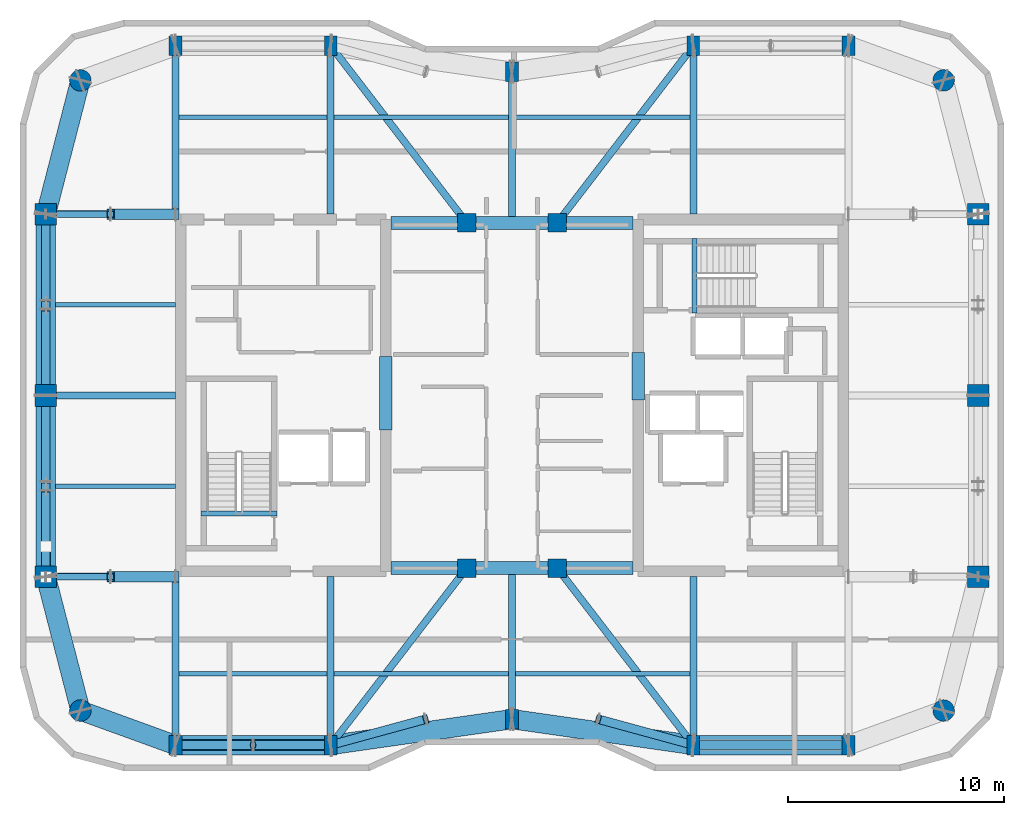
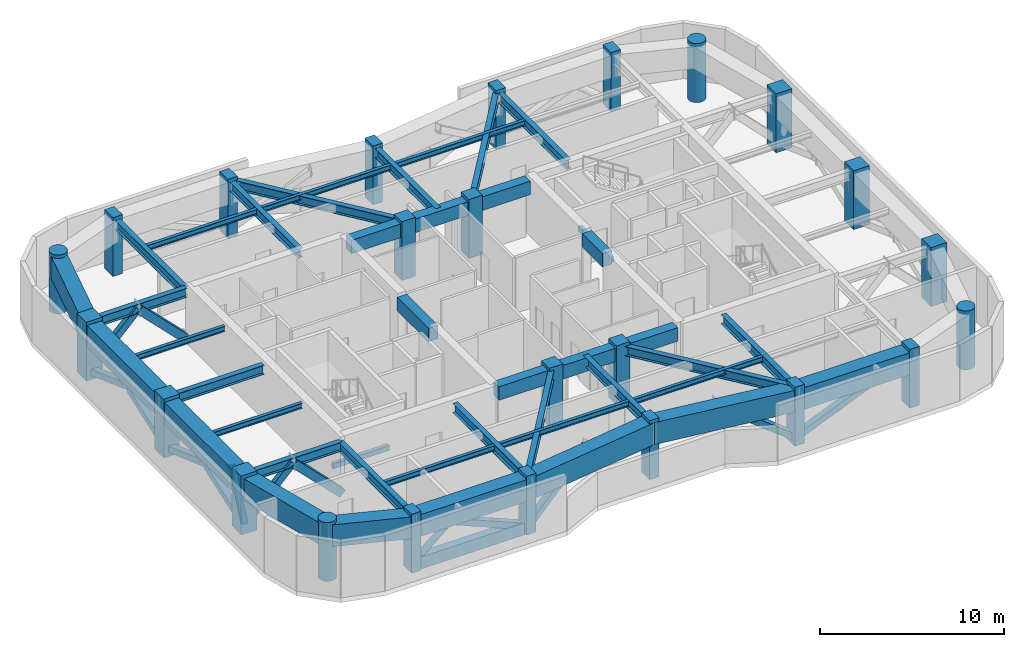
# One storey, part 1 of 11: 42 beams, 24 columns, 17 members.
"""IFC4 building model written with IfcOpenShell, lengths in metres."""

from ifc_helpers import new_model, si_unit, direction, frame, origin, origin_2d, place, context, subcontext, project, spatial, rectangle, hollow_rectangle, circle, hollow_circle, i_section, extrude, material, material_profile, profile_set, type_object, element, save


model = new_model("IFC4")

# Units and contexts
model_context = context("Model", 3, precision=1e-05, world=origin(), true_north=direction((0.0, 1.0)))
body_context = subcontext(model_context, "Body", "Model", "MODEL_VIEW")
ifc_project = project(units=[si_unit("LENGTHUNIT", "METRE"), si_unit("AREAUNIT", "SQUARE_METRE"), si_unit("VOLUMEUNIT", "CUBIC_METRE"), si_unit("PLANEANGLEUNIT", "RADIAN"), si_unit("MASSUNIT", "GRAM", prefix="KILO")], contexts=[model_context])

# Site, building, storey
site_placement = place(None, origin())
site = spatial("IfcSite", under=ifc_project, at=site_placement, CompositionType="ELEMENT")
building_placement = place(site_placement, origin())
building = spatial("IfcBuilding", under=site, at=building_placement, Name="Kiyonajd Concourse Tower", CompositionType="ELEMENT")
storey_placement = place(building_placement, frame((0.0, 0.0, 282.300048828125)))
storey = spatial("IfcBuildingStorey", under=building, at=storey_placement, Name="L71", CompositionType="ELEMENT", Elevation=282.300048828125)

# Columns
ifc_material_1 = material(Name="Concrete C60/75", Category="concrete")
ifc_material_profile_1 = material_profile(ifc_material_1, rectangle(XDim=0.60009765625, YDim=0.89990234375, at=origin_2d()), Name="RC-900x600")
ifc_profile_set_1 = profile_set([ifc_material_profile_1], Name="Concrete C60/75")
column_type_1 = type_object("IfcColumnType", Name="CL-BLADE-900", PredefinedType="COLUMN", material=ifc_profile_set_1)
for number, where, z_axis, x_axis, name in (
    (1, (32.39990234375, 19.800048828125, 0.0), (0.0, 0.0, 1.0), (1.0, 0.0, 0.0), "L71 Perimeter Bundled Tube Column"),
    (2, (32.39990234375, 52.199951171875, 0.0), (0.0, 0.0, 1.0), (1.0, 0.0, 0.0), "L71 Perimeter Bundled Tube Column"),
    (3, (39.60009765625, 19.800048828125, 0.0), (0.0, 0.0, 1.0), (1.0, 0.0, 0.0), "L71 Perimeter Bundled Tube Column"),
    (4, (39.60009765625, 52.199951171875, 0.0), (0.0, 0.0, 1.0), (1.0, 0.0, 0.0), "L71 Perimeter Bundled Tube Column"),
    (5, (48.0, 21.0, 0.0), (0.0, 0.0, 1.0), (1.0, 0.0, 0.0), "L71 Perimeter Bundled Tube Column"),
    (6, (48.0, 51.0, 0.0), (0.0, 0.0, 1.0), (1.0, 0.0, 0.0), "L71 Perimeter Bundled Tube Column"),
    (7, (56.39990234375, 19.800048828125, 0.0), (0.0, 0.0, 1.0), (1.0, 0.0, 0.0), "L71 Perimeter Bundled Tube Column"),
    (8, (56.39990234375, 52.199951171875, 0.0), (0.0, 0.0, 1.0), (1.0, 0.0, 0.0), "L71 Perimeter Bundled Tube Column"),
    (9, (63.60009765625, 19.800048828125, 0.0), (0.0, 0.0, 1.0), (1.0, 0.0, 0.0), "L71 Perimeter Bundled Tube Column"),
    (10, (63.60009765625, 52.199951171875, 0.0), (0.0, 0.0, 1.0), (1.0, 0.0, 0.0), "L71 Perimeter Bundled Tube Column"),
):
    element("IfcColumn", number, at=place(storey_placement, frame(where, z_axis=z_axis, x_axis=x_axis)), inside=storey, type_object=column_type_1, Name=name, PredefinedType="COLUMN", context=body_context, shape_type="SweptSolid", body=[
        extrude(rectangle(XDim=0.60009765625, YDim=0.89990234375, at=origin_2d()), origin(), (0.0, 0.0, 1.0), 3.89990234375),
    ])
ifc_material_profile_2 = material_profile(ifc_material_1, circle(Radius=0.5, at=origin_2d()), Name="RCC-D1000")
ifc_profile_set_2 = profile_set([ifc_material_profile_2], Name="Concrete C60/75")
column_type_2 = type_object("IfcColumnType", Name="CL-RND-1000", PredefinedType="COLUMN", material=ifc_profile_set_2)
for number, where, z_axis, x_axis, name in (
    (11, (28.0, 21.39990234375, 0.0), (0.0, 0.0, 1.0), (1.0, 0.0, 0.0), "L71 Bundled Tube Corner Column South West"),
    (12, (68.0, 21.39990234375, 0.0), (0.0, 0.0, 1.0), (1.0, 0.0, 0.0), "L71 Bundled Tube Corner Column South East"),
    (13, (68.0, 50.60009765625, 0.0), (0.0, 0.0, 1.0), (1.0, 0.0, 0.0), "L71 Bundled Tube Corner Column North East"),
    (14, (28.0, 50.60009765625, 0.0), (0.0, 0.0, 1.0), (1.0, 0.0, 0.0), "L71 Bundled Tube Corner Column North West"),
):
    element("IfcColumn", number, at=place(storey_placement, frame(where, z_axis=z_axis, x_axis=x_axis)), inside=storey, type_object=column_type_2, Name=name, PredefinedType="COLUMN", context=body_context, shape_type="SweptSolid", body=[
        extrude(circle(Radius=0.5, at=origin_2d()), origin(), (0.0, 0.0, 1.0), 3.89990234375),
    ])
ifc_material_profile_3 = material_profile(ifc_material_1, rectangle(XDim=1.0, YDim=1.0, at=origin_2d()), Name="RC-1000x1000")
ifc_profile_set_3 = profile_set([ifc_material_profile_3], Name="Concrete C60/75")
column_type_3 = type_object("IfcColumnType", Name="CL-TUBE-1000", PredefinedType="COLUMN", material=ifc_profile_set_3)
for number, where, z_axis, x_axis, name in (
    (15, (26.39990234375, 27.60009765625, 0.0), (0.0, 0.0, 1.0), (1.0, 0.0, 0.0), "L71 Perimeter Bundled Tube Column"),
    (16, (69.60009765625, 27.60009765625, 0.0), (0.0, 0.0, 1.0), (1.0, 0.0, 0.0), "L71 Perimeter Bundled Tube Column"),
    (17, (26.39990234375, 36.0, 0.0), (0.0, 0.0, 1.0), (1.0, 0.0, 0.0), "L71 Perimeter Bundled Tube Column"),
    (18, (69.60009765625, 36.0, 0.0), (0.0, 0.0, 1.0), (1.0, 0.0, 0.0), "L71 Perimeter Bundled Tube Column"),
    (19, (26.39990234375, 44.39990234375, 0.0), (0.0, 0.0, 1.0), (1.0, 0.0, 0.0), "L71 Perimeter Bundled Tube Column"),
    (20, (69.60009765625, 44.39990234375, 0.0), (0.0, 0.0, 1.0), (1.0, 0.0, 0.0), "L71 Perimeter Bundled Tube Column"),
):
    element("IfcColumn", number, at=place(storey_placement, frame(where, z_axis=z_axis, x_axis=x_axis)), inside=storey, type_object=column_type_3, Name=name, PredefinedType="COLUMN", context=body_context, shape_type="SweptSolid", body=[
        extrude(rectangle(XDim=1.0, YDim=1.0, at=origin_2d()), origin(), (0.0, 0.0, 1.0), 3.89990234375),
    ])
ifc_material_profile_4 = material_profile(ifc_material_1, rectangle(XDim=0.85009765625, YDim=0.85009765625, at=origin_2d()), Name="RC-850x850")
ifc_profile_set_4 = profile_set([ifc_material_profile_4], Name="Concrete C60/75")
column_type_4 = type_object("IfcColumnType", Name="CL-TUBE-850", PredefinedType="COLUMN", material=ifc_profile_set_4)
for number, where, z_axis, x_axis, name in (
    (21, (45.89990234375, 28.0, 0.0), (0.0, 0.0, 1.0), (1.0, 0.0, 0.0), "L71 Core Tie Column South West"),
    (22, (50.10009765625, 28.0, 0.0), (0.0, 0.0, 1.0), (1.0, 0.0, 0.0), "L71 Core Tie Column South East"),
    (23, (45.89990234375, 44.0, 0.0), (0.0, 0.0, 1.0), (1.0, 0.0, 0.0), "L71 Core Tie Column North West"),
    (24, (50.10009765625, 44.0, 0.0), (0.0, 0.0, 1.0), (1.0, 0.0, 0.0), "L71 Core Tie Column North East"),
):
    element("IfcColumn", number, at=place(storey_placement, frame(where, z_axis=z_axis, x_axis=x_axis)), inside=storey, type_object=column_type_4, Name=name, PredefinedType="COLUMN", context=body_context, shape_type="SweptSolid", body=[
        extrude(rectangle(XDim=0.85009765625, YDim=0.85009765625, at=origin_2d()), origin(), (0.0, 0.0, 1.0), 3.89990234375),
    ])

# Beams
ifc_material_profile_5 = material_profile(ifc_material_1, rectangle(XDim=0.60009765625, YDim=0.89990234375, at=origin_2d()), Name="RCBM-600x900")
ifc_profile_set_5 = profile_set([ifc_material_profile_5], Name="Concrete C60/75")
beam_type_1 = type_object("IfcBeamType", Name="BM-COUP-900", PredefinedType="LINTEL", material=ifc_profile_set_5)
beam_1_placement = place(storey_placement, frame((42.39990234375, 28.0, 3.22998046875), z_axis=(1.0, 0.0, 0.0), x_axis=(0.0, 1.0, 0.0)))
element("IfcBeam", 25, at=beam_1_placement, inside=storey, type_object=beam_type_1, Name="L71 Core Coupling Beam S1", PredefinedType="LINTEL", context=body_context, shape_type="SweptSolid", body=[
    extrude(rectangle(XDim=0.60009765625, YDim=0.89990234375, at=origin_2d()), origin(), (0.0, 0.0, 1.0), 3.5),
])
beam_2_placement = place(storey_placement, frame((45.89990234375, 28.0, 3.22998046875), z_axis=(1.0, 0.0, 0.0), x_axis=(0.0, 1.0, 0.0)))
element("IfcBeam", 26, at=beam_2_placement, inside=storey, type_object=beam_type_1, Name="L71 Core Coupling Beam S2", PredefinedType="LINTEL", context=body_context, shape_type="SweptSolid", body=[
    extrude(rectangle(XDim=0.60009765625, YDim=0.89990234375, at=origin_2d()), origin(), (0.0, 0.0, 1.0), 4.2001953125),
])
for number, where, z_axis, x_axis, name in (
    (27, (50.10009765625, 28.0, 3.22998046875), (1.0, 0.0, 0.0), (0.0, 1.0, 0.0), "L71 Core Coupling Beam S3"),
    (28, (42.39990234375, 44.0, 3.22998046875), (1.0, 0.0, 0.0), (0.0, 1.0, 0.0), "L71 Core Coupling Beam N1"),
):
    element("IfcBeam", number, at=place(storey_placement, frame(where, z_axis=z_axis, x_axis=x_axis)), inside=storey, type_object=beam_type_1, Name=name, PredefinedType="LINTEL", context=body_context, shape_type="SweptSolid", body=[
        extrude(rectangle(XDim=0.60009765625, YDim=0.89990234375, at=origin_2d()), origin(), (0.0, 0.0, 1.0), 3.5),
    ])
beam_3_placement = place(storey_placement, frame((45.89990234375, 44.0, 3.22998046875), z_axis=(1.0, 0.0, 0.0), x_axis=(0.0, 1.0, 0.0)))
element("IfcBeam", 29, at=beam_3_placement, inside=storey, type_object=beam_type_1, Name="L71 Core Coupling Beam N2", PredefinedType="LINTEL", context=body_context, shape_type="SweptSolid", body=[
    extrude(rectangle(XDim=0.60009765625, YDim=0.89990234375, at=origin_2d()), origin(), (0.0, 0.0, 1.0), 4.2001953125),
])
beam_4_placement = place(storey_placement, frame((50.10009765625, 44.0, 3.22998046875), z_axis=(1.0, 0.0, 0.0), x_axis=(0.0, 1.0, 0.0)))
element("IfcBeam", 30, at=beam_4_placement, inside=storey, type_object=beam_type_1, Name="L71 Core Coupling Beam N3", PredefinedType="LINTEL", context=body_context, shape_type="SweptSolid", body=[
    extrude(rectangle(XDim=0.60009765625, YDim=0.89990234375, at=origin_2d()), origin(), (0.0, 0.0, 1.0), 3.5),
])
beam_5_placement = place(storey_placement, frame((42.14990234375, 34.39990234375, 3.22998046875), z_axis=(0.0, 1.0, 0.0), x_axis=(-1.0, 0.0, 0.0)))
element("IfcBeam", 31, at=beam_5_placement, inside=storey, type_object=beam_type_1, Name="L71 West Core Throat Coupling Lintel", PredefinedType="LINTEL", context=body_context, shape_type="SweptSolid", body=[
    extrude(rectangle(XDim=0.60009765625, YDim=0.89990234375, at=origin_2d()), origin(), (0.0, 0.0, 1.0), 3.400146484375),
])
beam_6_placement = place(storey_placement, frame((53.85009765625, 35.800048828125, 3.22998046875), z_axis=(0.0, 1.0, 0.0), x_axis=(-1.0, 0.0, 0.0)))
element("IfcBeam", 32, at=beam_6_placement, inside=storey, type_object=beam_type_1, Name="L71 East Core Throat Coupling Lintel", PredefinedType="LINTEL", context=body_context, shape_type="SweptSolid", body=[
    extrude(rectangle(XDim=0.60009765625, YDim=0.89990234375, at=origin_2d()), origin(), (0.0, 0.0, 1.0), 2.199951171875),
])
ifc_material_2 = material(Name="Steel ASTM A992 Grade 50", Category="steel")
ifc_material_profile_6 = material_profile(ifc_material_2, i_section(OverallWidth=0.205078125, OverallDepth=0.35400390625, WebThickness=0.009521484375, FlangeThickness=0.016845703125, at=origin_2d()), Name="W360X79")
ifc_profile_set_6 = profile_set([ifc_material_profile_6], Name="Steel ASTM A992 Grade 50")
beam_type_2 = type_object("IfcBeamType", Name="BM-JST-360", PredefinedType="JOIST", material=ifc_profile_set_6)
beam_7_placement = place(storey_placement, frame((32.56201171875, 23.10009765625, 3.5029296875), z_axis=(1.0, 0.0, 0.0), x_axis=(0.0, 1.0, 0.0)))
element("IfcBeam", 33, at=beam_7_placement, inside=storey, type_object=beam_type_2, Name="L71 Secondary Floor Joist", PredefinedType="JOIST", context=body_context, shape_type="SweptSolid", body=[
    extrude(i_section(OverallWidth=0.205078125, OverallDepth=0.35400390625, WebThickness=0.009521484375, FlangeThickness=0.016845703125, at=origin_2d()), origin(), (0.0, 0.0, 1.0), 6.8759765625),
])
for number, where, z_axis, x_axis, name in (
    (34, (39.761962890625, 23.10009765625, 3.5029296875), (1.0, 0.0, 0.0), (0.0, 1.0, 0.0), "L71 Secondary Floor Joist"),
    (35, (48.162109375, 23.10009765625, 3.5029296875), (1.0, 0.0, 0.0), (0.0, 1.0, 0.0), "L71 Secondary Floor Joist"),
):
    element("IfcBeam", number, at=place(storey_placement, frame(where, z_axis=z_axis, x_axis=x_axis)), inside=storey, type_object=beam_type_2, Name=name, PredefinedType="JOIST", context=body_context, shape_type="SweptSolid", body=[
        extrude(i_section(OverallWidth=0.205078125, OverallDepth=0.35400390625, WebThickness=0.009521484375, FlangeThickness=0.016845703125, at=origin_2d()), origin(), (0.0, 0.0, 1.0), 8.075927734375),
    ])
beam_8_placement = place(storey_placement, frame((32.56201171875, 48.89990234375, 3.5029296875), z_axis=(1.0, 0.0, 0.0), x_axis=(0.0, 1.0, 0.0)))
element("IfcBeam", 36, at=beam_8_placement, inside=storey, type_object=beam_type_2, Name="L71 Secondary Floor Joist", PredefinedType="JOIST", context=body_context, shape_type="SweptSolid", body=[
    extrude(i_section(OverallWidth=0.205078125, OverallDepth=0.35400390625, WebThickness=0.009521484375, FlangeThickness=0.016845703125, at=origin_2d()), origin(), (0.0, 0.0, 1.0), 6.8759765625),
])
for number, where, z_axis, x_axis, name in (
    (37, (39.761962890625, 48.89990234375, 3.5029296875), (1.0, 0.0, 0.0), (0.0, 1.0, 0.0), "L71 Secondary Floor Joist"),
    (38, (48.162109375, 48.89990234375, 3.5029296875), (1.0, 0.0, 0.0), (0.0, 1.0, 0.0), "L71 Secondary Floor Joist"),
):
    element("IfcBeam", number, at=place(storey_placement, frame(where, z_axis=z_axis, x_axis=x_axis)), inside=storey, type_object=beam_type_2, Name=name, PredefinedType="JOIST", context=body_context, shape_type="SweptSolid", body=[
        extrude(i_section(OverallWidth=0.205078125, OverallDepth=0.35400390625, WebThickness=0.009521484375, FlangeThickness=0.016845703125, at=origin_2d()), origin(), (0.0, 0.0, 1.0), 8.075927734375),
    ])
for number, where, z_axis, x_axis, name in (
    (39, (26.85009765625, 31.800048828125, 3.5029296875), (1.0, 0.0, 0.0), (0.0, 1.0, 0.0), "L71 West Secondary Floor Joist"),
    (40, (26.85009765625, 40.199951171875, 3.5029296875), (1.0, 0.0, 0.0), (0.0, 1.0, 0.0), "L71 West Secondary Floor Joist"),
):
    element("IfcBeam", number, at=place(storey_placement, frame(where, z_axis=z_axis, x_axis=x_axis)), inside=storey, type_object=beam_type_2, Name=name, PredefinedType="JOIST", context=body_context, shape_type="SweptSolid", body=[
        extrude(i_section(OverallWidth=0.205078125, OverallDepth=0.35400390625, WebThickness=0.009521484375, FlangeThickness=0.016845703125, at=origin_2d()), origin(), (0.0, 0.0, 1.0), 5.5498046875),
    ])
ifc_material_3 = material(Name="Concrete C50/60", Category="concrete")
ifc_material_profile_7 = material_profile(ifc_material_3, rectangle(XDim=0.239990234375, YDim=0.320068359375, at=origin_2d()), Name="RCBM-240x320")
ifc_profile_set_7 = profile_set([ifc_material_profile_7], Name="Concrete C50/60")
beam_type_3 = type_object("IfcBeamType", Name="BM-LNT-250", PredefinedType="LINTEL", material=ifc_profile_set_7)
beam_9_placement = place(storey_placement, frame((33.590087890625, 30.530029296875, -0.16015625), z_axis=(1.0, 0.0, 0.0), x_axis=(0.0, 1.0, 0.0)))
element("IfcBeam", 41, at=beam_9_placement, inside=storey, type_object=beam_type_3, Name="L71 Stair ST1 Threshold Support Beam", PredefinedType="LINTEL", context=body_context, shape_type="SweptSolid", body=[
    extrude(rectangle(XDim=0.239990234375, YDim=0.320068359375, at=origin_2d()), origin(), (0.0, 0.0, 1.0), 3.52001953125),
])
beam_10_placement = place(storey_placement, frame((56.4599609375, 39.820068359375, -0.16015625), z_axis=(0.0, 1.0, 0.0), x_axis=(-1.0, 0.0, 0.0)))
element("IfcBeam", 42, at=beam_10_placement, inside=storey, type_object=beam_type_3, Name="L71 Stair ST3 Threshold Support Beam", PredefinedType="LINTEL", context=body_context, shape_type="SweptSolid", body=[
    extrude(rectangle(XDim=0.239990234375, YDim=0.320068359375, at=origin_2d()), origin(), (0.0, 0.0, 1.0), 3.4599609375),
])
ifc_material_profile_8 = material_profile(ifc_material_2, i_section(OverallWidth=0.326904296875, OverallDepth=0.6220703125, WebThickness=0.015380859375, FlangeThickness=0.0244140625, at=origin_2d()), Name="W610X195")
ifc_profile_set_8 = profile_set([ifc_material_profile_8], Name="Steel ASTM A992 Grade 50")
beam_type_4 = type_object("IfcBeamType", Name="BM-TWR-610A", PredefinedType="BEAM", material=ifc_profile_set_8)
for number, where, z_axis, x_axis, name in (
    (43, (39.60009765625, 19.800048828125, 3.368896484375), (0.609233709922, 0.792990722956, 0.0), (-0.792990722956, 0.609233709922, 0.0), "L71 Core Tie Girder"),
    (44, (50.10009765625, 28.0, 3.368896484375), (0.609233709922, -0.792990722956, 0.0), (0.792990722956, 0.609233709922, 0.0), "L71 Core Tie Girder"),
    (45, (39.60009765625, 52.199951171875, 3.368896484375), (0.609233709922, -0.792990722956, 0.0), (0.792990722956, 0.609233709922, 0.0), "L71 Core Tie Girder"),
    (46, (50.10009765625, 44.0, 3.368896484375), (0.609233709922, 0.792990722956, 0.0), (-0.792990722956, 0.609233709922, 0.0), "L71 Core Tie Girder"),
):
    element("IfcBeam", number, at=place(storey_placement, frame(where, z_axis=z_axis, x_axis=x_axis)), inside=storey, type_object=beam_type_4, Name=name, PredefinedType="BEAM", context=body_context, shape_type="SweptSolid", body=[
        extrude(i_section(OverallWidth=0.326904296875, OverallDepth=0.6220703125, WebThickness=0.015380859375, FlangeThickness=0.0244140625, at=origin_2d()), origin(), (0.0, 0.0, 1.0), 10.340576171875),
    ])
ifc_material_profile_9 = material_profile(ifc_material_2, i_section(OverallWidth=0.323974609375, OverallDepth=0.611083984375, WebThickness=0.0126953125, FlangeThickness=0.01904296875, at=origin_2d()), Name="W610X155")
ifc_profile_set_9 = profile_set([ifc_material_profile_9], Name="Steel ASTM A992 Grade 50")
beam_type_5 = type_object("IfcBeamType", Name="BM-TWR-610B", PredefinedType="BEAM", material=ifc_profile_set_9)
for number, where, z_axis, x_axis, name in (
    (47, (32.39990234375, 19.800048828125, 3.37451171875), (0.0, 1.0, 0.0), (-1.0, 0.0, 0.0), "L71 South Lease Girder"),
    (48, (32.39990234375, 44.39990234375, 3.37451171875), (0.0, 1.0, 0.0), (-1.0, 0.0, 0.0), "L71 North Lease Girder"),
    (49, (39.60009765625, 19.800048828125, 3.37451171875), (0.0, 1.0, 0.0), (-1.0, 0.0, 0.0), "L71 South Lease Girder"),
    (50, (39.60009765625, 44.39990234375, 3.37451171875), (0.0, 1.0, 0.0), (-1.0, 0.0, 0.0), "L71 North Lease Girder"),
    (51, (56.39990234375, 19.800048828125, 3.37451171875), (0.0, 1.0, 0.0), (-1.0, 0.0, 0.0), "L71 South Lease Girder"),
    (52, (56.39990234375, 44.39990234375, 3.37451171875), (0.0, 1.0, 0.0), (-1.0, 0.0, 0.0), "L71 North Lease Girder"),
):
    element("IfcBeam", number, at=place(storey_placement, frame(where, z_axis=z_axis, x_axis=x_axis)), inside=storey, type_object=beam_type_5, Name=name, PredefinedType="BEAM", context=body_context, shape_type="SweptSolid", body=[
        extrude(i_section(OverallWidth=0.323974609375, OverallDepth=0.611083984375, WebThickness=0.0126953125, FlangeThickness=0.01904296875, at=origin_2d()), origin(), (0.0, 0.0, 1.0), 7.800048828125),
    ])
for number, where, z_axis, x_axis, name in (
    (53, (48.0, 21.0, 3.37451171875), (0.0, 1.0, 0.0), (-1.0, 0.0, 0.0), "L71 South Ribbon Girder"),
    (54, (48.0, 44.0, 3.37451171875), (0.0, 1.0, 0.0), (-1.0, 0.0, 0.0), "L71 North Ribbon Girder"),
):
    element("IfcBeam", number, at=place(storey_placement, frame(where, z_axis=z_axis, x_axis=x_axis)), inside=storey, type_object=beam_type_5, Name=name, PredefinedType="BEAM", context=body_context, shape_type="SweptSolid", body=[
        extrude(i_section(OverallWidth=0.323974609375, OverallDepth=0.611083984375, WebThickness=0.0126953125, FlangeThickness=0.01904296875, at=origin_2d()), origin(), (0.0, 0.0, 1.0), 7.0),
    ])
for number, where, z_axis, x_axis, name in (
    (55, (26.39990234375, 27.60009765625, 3.37451171875), (1.0, 0.0, 0.0), (0.0, 1.0, 0.0), "L71 West Lease Girder"),
    (56, (26.39990234375, 36.0, 3.37451171875), (1.0, 0.0, 0.0), (0.0, 1.0, 0.0), "L71 West Lease Girder"),
    (57, (26.39990234375, 44.39990234375, 3.37451171875), (1.0, 0.0, 0.0), (0.0, 1.0, 0.0), "L71 West Lease Girder"),
):
    element("IfcBeam", number, at=place(storey_placement, frame(where, z_axis=z_axis, x_axis=x_axis)), inside=storey, type_object=beam_type_5, Name=name, PredefinedType="BEAM", context=body_context, shape_type="SweptSolid", body=[
        extrude(i_section(OverallWidth=0.323974609375, OverallDepth=0.611083984375, WebThickness=0.0126953125, FlangeThickness=0.01904296875, at=origin_2d()), origin(), (0.0, 0.0, 1.0), 6.0),
    ])
ifc_material_4 = material(Name="Steel ASTM A572 Grade 50", Category="steel")
ifc_material_profile_10 = material_profile(ifc_material_4, hollow_rectangle(XDim=0.89990234375, YDim=1.449951171875, WallThickness=0.074951171875, at=origin_2d()), Name="BOX-1450x900x75")
ifc_profile_set_10 = profile_set([ifc_material_profile_10], Name="Steel ASTM A572 Grade 50")
beam_type_6 = type_object("IfcBeamType", Name="BM-XFER-1800", PredefinedType="BEAM", material=ifc_profile_set_10)
beam_11_placement = place(storey_placement, frame((26.39990234375, 27.60009765625, 2.954833984375), z_axis=(0.249884937687, -0.968275538221, 0.0), x_axis=(0.968275538221, 0.249884937687, 0.0)))
element("IfcBeam", 58, at=beam_11_placement, inside=storey, type_object=beam_type_6, Name="L71 Perimeter Bundled Tube Spandrel", PredefinedType="BEAM", context=body_context, shape_type="SweptSolid", body=[
    extrude(hollow_rectangle(XDim=0.89990234375, YDim=1.449951171875, WallThickness=0.074951171875, at=origin_2d()), origin(), (0.0, 0.0, 1.0), 6.4033203125),
])
beam_12_placement = place(storey_placement, frame((28.0, 21.39990234375, 2.954833984375), z_axis=(0.939801036019, -0.341722127901, 0.0), x_axis=(0.341722127901, 0.939801036019, 0.0)))
element("IfcBeam", 59, at=beam_12_placement, inside=storey, type_object=beam_type_6, Name="L71 Perimeter Bundled Tube Spandrel", PredefinedType="BEAM", context=body_context, shape_type="SweptSolid", body=[
    extrude(hollow_rectangle(XDim=0.89990234375, YDim=1.449951171875, WallThickness=0.074951171875, at=origin_2d()), origin(), (0.0, 0.0, 1.0), 4.681640625),
])
beam_13_placement = place(storey_placement, frame((32.39990234375, 19.800048828125, 2.954833984375), z_axis=(1.0, 0.0, 0.0), x_axis=(0.0, 1.0, 0.0)))
element("IfcBeam", 60, at=beam_13_placement, inside=storey, type_object=beam_type_6, Name="L71 Perimeter Bundled Tube Spandrel", PredefinedType="BEAM", context=body_context, shape_type="SweptSolid", body=[
    extrude(hollow_rectangle(XDim=0.89990234375, YDim=1.449951171875, WallThickness=0.074951171875, at=origin_2d()), origin(), (0.0, 0.0, 1.0), 7.2001953125),
])
for number, where, z_axis, x_axis, name in (
    (61, (39.60009765625, 19.800048828125, 2.954833984375), (0.989950069105, 0.141417328072, 0.0), (-0.141417328072, 0.989950069105, 0.0), "L71 Perimeter Bundled Tube Spandrel"),
    (62, (48.0, 21.0, 2.954833984375), (0.989950069105, -0.141417328072, 0.0), (0.141417328072, 0.989950069105, 0.0), "L71 Perimeter Bundled Tube Spandrel"),
):
    element("IfcBeam", number, at=place(storey_placement, frame(where, z_axis=z_axis, x_axis=x_axis)), inside=storey, type_object=beam_type_6, Name=name, PredefinedType="BEAM", context=body_context, shape_type="SweptSolid", body=[
        extrude(hollow_rectangle(XDim=0.89990234375, YDim=1.449951171875, WallThickness=0.074951171875, at=origin_2d()), origin(), (0.0, 0.0, 1.0), 8.485107421875),
    ])
beam_14_placement = place(storey_placement, frame((56.39990234375, 19.800048828125, 2.954833984375), z_axis=(1.0, 0.0, 0.0), x_axis=(0.0, 1.0, 0.0)))
element("IfcBeam", 63, at=beam_14_placement, inside=storey, type_object=beam_type_6, Name="L71 Perimeter Bundled Tube Spandrel", PredefinedType="BEAM", context=body_context, shape_type="SweptSolid", body=[
    extrude(hollow_rectangle(XDim=0.89990234375, YDim=1.449951171875, WallThickness=0.074951171875, at=origin_2d()), origin(), (0.0, 0.0, 1.0), 7.2001953125),
])
beam_15_placement = place(storey_placement, frame((28.0, 50.60009765625, 2.954833984375), z_axis=(-0.249884937687, -0.968275538221, 0.0), x_axis=(0.968275538221, -0.249884937687, 0.0)))
element("IfcBeam", 64, at=beam_15_placement, inside=storey, type_object=beam_type_6, Name="L71 Perimeter Bundled Tube Spandrel", PredefinedType="BEAM", context=body_context, shape_type="SweptSolid", body=[
    extrude(hollow_rectangle(XDim=0.89990234375, YDim=1.449951171875, WallThickness=0.074951171875, at=origin_2d()), origin(), (0.0, 0.0, 1.0), 6.4033203125),
])
for number, where, z_axis, x_axis, name in (
    (65, (26.39990234375, 44.39990234375, 2.954833984375), (0.0, -1.0, 0.0), (1.0, 0.0, 0.0), "L71 Perimeter Bundled Tube Spandrel"),
    (66, (26.39990234375, 36.0, 2.954833984375), (0.0, -1.0, 0.0), (1.0, 0.0, 0.0), "L71 Perimeter Bundled Tube Spandrel"),
):
    element("IfcBeam", number, at=place(storey_placement, frame(where, z_axis=z_axis, x_axis=x_axis)), inside=storey, type_object=beam_type_6, Name=name, PredefinedType="BEAM", context=body_context, shape_type="SweptSolid", body=[
        extrude(hollow_rectangle(XDim=0.89990234375, YDim=1.449951171875, WallThickness=0.074951171875, at=origin_2d()), origin(), (0.0, 0.0, 1.0), 8.39990234375),
    ])

# Members
ifc_material_profile_11 = material_profile(ifc_material_4, hollow_rectangle(XDim=0.5, YDim=0.800048828125, WallThickness=0.044921875, at=origin_2d()), Name="BOX-800x500x45")
ifc_profile_set_11 = profile_set([ifc_material_profile_11], Name="Steel ASTM A572 Grade 50")
member_type_1 = type_object("IfcMemberType", Name="MB-BT-CHORD", PredefinedType="CHORD", material=ifc_profile_set_11)
member_1_placement = place(storey_placement, frame((32.39990234375, 19.800048828125, 0.300048828125), z_axis=(1.0, 0.0, 0.0), x_axis=(0.0, 1.0, 0.0)))
element("IfcMember", 67, at=member_1_placement, inside=storey, type_object=member_type_1, Name="L71 Belt Truss Bottom Chord 01", PredefinedType="CHORD", context=body_context, shape_type="SweptSolid", body=[
    extrude(hollow_rectangle(XDim=0.5, YDim=0.800048828125, WallThickness=0.044921875, at=origin_2d()), origin(), (0.0, 0.0, 1.0), 7.2001953125),
])
ifc_material_5 = material(Name="Steel ASTM A500 Grade C", Category="steel")
ifc_material_profile_12 = material_profile(ifc_material_5, hollow_rectangle(XDim=0.39990234375, YDim=0.39990234375, WallThickness=0.02001953125, at=origin_2d()), Name="HSS-400x400x20")
ifc_profile_set_12 = profile_set([ifc_material_profile_12], Name="Steel ASTM A500 Grade C")
member_type_2 = type_object("IfcMemberType", Name="MB-BT-DIAG", PredefinedType="BRACE", material=ifc_profile_set_12)
member_2_placement = place(storey_placement, frame((32.39990234375, 19.800048828125, 3.329833984375), z_axis=(0.921721243884, 0.0, -0.387852998664), x_axis=(0.0, 1.0, 0.0)))
element("IfcMember", 68, at=member_2_placement, inside=storey, type_object=member_type_2, Name="L71 Outrigger and Belt Truss Member 09", PredefinedType="BRACE", context=body_context, shape_type="SweptSolid", body=[
    extrude(hollow_rectangle(XDim=0.39990234375, YDim=0.39990234375, WallThickness=0.02001953125, at=origin_2d()), origin(), (0.0, 0.0, 1.0), 7.811767578125),
])
for number, where, z_axis, x_axis, name in (
    (69, (39.60009765625, 19.800048828125, 0.300048828125), (0.803594966207, 0.219158209905, 0.553357758885), (-0.263112876105, 0.964765056595, 0.0), "L71 Outrigger and Belt Truss Member 10"),
    (70, (52.0, 21.0, 3.329833984375), (0.803594966207, -0.219158209905, -0.553357758885), (0.263112876105, 0.964765056595, 0.0), "L71 Outrigger and Belt Truss Member 11"),
):
    element("IfcMember", number, at=place(storey_placement, frame(where, z_axis=z_axis, x_axis=x_axis)), inside=storey, type_object=member_type_2, Name=name, PredefinedType="BRACE", context=body_context, shape_type="SweptSolid", body=[
        extrude(hollow_rectangle(XDim=0.39990234375, YDim=0.39990234375, WallThickness=0.02001953125, at=origin_2d()), origin(), (0.0, 0.0, 1.0), 5.475341796875),
    ])
member_3_placement = place(storey_placement, frame((56.39990234375, 19.800048828125, 0.300048828125), z_axis=(0.921721243884, 0.0, 0.387852998664), x_axis=(0.0, 1.0, 0.0)))
element("IfcMember", 71, at=member_3_placement, inside=storey, type_object=member_type_2, Name="L71 Outrigger and Belt Truss Member 12", PredefinedType="BRACE", context=body_context, shape_type="SweptSolid", body=[
    extrude(hollow_rectangle(XDim=0.39990234375, YDim=0.39990234375, WallThickness=0.02001953125, at=origin_2d()), origin(), (0.0, 0.0, 1.0), 7.811767578125),
])
member_4_placement = place(storey_placement, frame((26.39990234375, 27.60009765625, 3.329833984375), z_axis=(0.0, 0.940679508596, -0.339296422184), x_axis=(-1.0, 0.0, 0.0)))
element("IfcMember", 72, at=member_4_placement, inside=storey, type_object=member_type_2, Name="L71 Belt Truss Continuous X Brace W1", PredefinedType="BRACE", context=body_context, shape_type="SweptSolid", body=[
    extrude(hollow_rectangle(XDim=0.39990234375, YDim=0.39990234375, WallThickness=0.02001953125, at=origin_2d()), origin(), (0.0, 0.0, 1.0), 8.9296875),
])
member_5_placement = place(storey_placement, frame((26.39990234375, 27.60009765625, 0.300048828125), z_axis=(0.0, 0.940662309748, 0.3393441012), x_axis=(-1.0, 0.0, 0.0)))
element("IfcMember", 73, at=member_5_placement, inside=storey, type_object=member_type_2, Name="L71 Belt Truss Split X Brace Lower W1", PredefinedType="BRACE", context=body_context, shape_type="SweptSolid", body=[
    extrude(hollow_rectangle(XDim=0.39990234375, YDim=0.39990234375, WallThickness=0.02001953125, at=origin_2d()), origin(), (0.0, 0.0, 1.0), 4.234619140625),
])
member_6_placement = place(storey_placement, frame((26.39990234375, 32.016357421875, 1.89306640625), z_axis=(0.0, 0.94068734852, 0.339274685668), x_axis=(-1.0, 0.0, 0.0)))
element("IfcMember", 74, at=member_6_placement, inside=storey, type_object=member_type_2, Name="L71 Belt Truss Split X Brace Upper W1", PredefinedType="BRACE", context=body_context, shape_type="SweptSolid", body=[
    extrude(hollow_rectangle(XDim=0.39990234375, YDim=0.39990234375, WallThickness=0.02001953125, at=origin_2d()), origin(), (0.0, 0.0, 1.0), 4.23486328125),
])
member_7_placement = place(storey_placement, frame((26.39990234375, 36.0, 3.329833984375), z_axis=(0.0, 0.940679508596, -0.339296422184), x_axis=(-1.0, 0.0, 0.0)))
element("IfcMember", 75, at=member_7_placement, inside=storey, type_object=member_type_2, Name="L71 Belt Truss Continuous X Brace W2", PredefinedType="BRACE", context=body_context, shape_type="SweptSolid", body=[
    extrude(hollow_rectangle(XDim=0.39990234375, YDim=0.39990234375, WallThickness=0.02001953125, at=origin_2d()), origin(), (0.0, 0.0, 1.0), 8.9296875),
])
member_8_placement = place(storey_placement, frame((26.39990234375, 36.0, 0.300048828125), z_axis=(0.0, 0.940668948177, 0.339325698901), x_axis=(-1.0, 0.0, 0.0)))
element("IfcMember", 76, at=member_8_placement, inside=storey, type_object=member_type_2, Name="L71 Belt Truss Split X Brace Lower W2", PredefinedType="BRACE", context=body_context, shape_type="SweptSolid", body=[
    extrude(hollow_rectangle(XDim=0.39990234375, YDim=0.39990234375, WallThickness=0.02001953125, at=origin_2d()), origin(), (0.0, 0.0, 1.0), 4.23486328125),
])
member_9_placement = place(storey_placement, frame((26.39990234375, 40.41650390625, 1.89306640625), z_axis=(0.0, 0.940680711957, 0.33929308592), x_axis=(-1.0, 0.0, 0.0)))
element("IfcMember", 77, at=member_9_placement, inside=storey, type_object=member_type_2, Name="L71 Belt Truss Split X Brace Upper W2", PredefinedType="BRACE", context=body_context, shape_type="SweptSolid", body=[
    extrude(hollow_rectangle(XDim=0.39990234375, YDim=0.39990234375, WallThickness=0.02001953125, at=origin_2d()), origin(), (0.0, 0.0, 1.0), 4.234619140625),
])
ifc_material_profile_13 = material_profile(ifc_material_5, hollow_rectangle(XDim=0.300048828125, YDim=0.449951171875, WallThickness=0.02197265625, at=origin_2d()), Name="HSS-450x300x22")
ifc_profile_set_13 = profile_set([ifc_material_profile_13], Name="Steel ASTM A500 Grade C")
member_type_3 = type_object("IfcMemberType", Name="MB-OT-DIAG", PredefinedType="BRACE", material=ifc_profile_set_13)
for number, where, z_axis, x_axis, name in (
    (78, (29.39990234375, 27.60009765625, 3.329833984375), (-0.703605322108, 0.0, -0.710590986927), (0.0, -1.0, 0.0), "L71 Outrigger and Belt Truss Member 02"),
    (79, (29.39990234375, 44.39990234375, 3.329833984375), (-0.703605322108, 0.0, -0.710590986927), (0.0, -1.0, 0.0), "L71 Outrigger and Belt Truss Member 04"),
):
    element("IfcMember", number, at=place(storey_placement, frame(where, z_axis=z_axis, x_axis=x_axis)), inside=storey, type_object=member_type_3, Name=name, PredefinedType="BRACE", context=body_context, shape_type="SweptSolid", body=[
        extrude(hollow_rectangle(XDim=0.300048828125, YDim=0.449951171875, WallThickness=0.02197265625, at=origin_2d()), origin(), (0.0, 0.0, 1.0), 4.263671875),
    ])
ifc_material_profile_14 = material_profile(ifc_material_4, hollow_rectangle(XDim=0.5, YDim=0.5, WallThickness=0.02490234375, at=origin_2d()), Name="HSS-500x500x25")
ifc_profile_set_14 = profile_set([ifc_material_profile_14], Name="Steel ASTM A572 Grade 50")
member_type_4 = type_object("IfcMemberType", Name="MB-OT-STRUT", PredefinedType="STRUT", material=ifc_profile_set_14)
for number, where, z_axis, x_axis, name in (
    (80, (32.39990234375, 27.60009765625, 0.300048828125), (-0.703605322108, 0.0, 0.710590986927), (0.0, -1.0, 0.0), "L71 Outrigger and Belt Truss Member 01"),
    (81, (32.39990234375, 44.39990234375, 0.300048828125), (-0.703605322108, 0.0, 0.710590986927), (0.0, -1.0, 0.0), "L71 Outrigger and Belt Truss Member 03"),
):
    element("IfcMember", number, at=place(storey_placement, frame(where, z_axis=z_axis, x_axis=x_axis)), inside=storey, type_object=member_type_4, Name=name, PredefinedType="STRUT", context=body_context, shape_type="SweptSolid", body=[
        extrude(hollow_rectangle(XDim=0.5, YDim=0.5, WallThickness=0.02490234375, at=origin_2d()), origin(), (0.0, 0.0, 1.0), 4.263671875),
    ])
ifc_material_profile_15 = material_profile(ifc_material_5, hollow_circle(Radius=0.202880859375, WallThickness=0.01904296875, at=origin_2d()), Name="CHS-406x19")
ifc_profile_set_15 = profile_set([ifc_material_profile_15], Name="Steel ASTM A500 Grade C")
member_type_5 = type_object("IfcMemberType", Name="MB-PB-HIGH", PredefinedType="BRACE", material=ifc_profile_set_15)
member_10_placement = place(storey_placement, frame((32.39990234375, 19.800048828125, 0.300048828125), z_axis=(0.765107605277, 0.0, 0.643902440085), x_axis=(0.0, 1.0, 0.0)))
element("IfcMember", 82, at=member_10_placement, inside=storey, type_object=member_type_5, Name="L71 Upper Zone Hollow Tube Brace PBS", PredefinedType="BRACE", context=body_context, shape_type="SweptSolid", body=[
    extrude(hollow_circle(Radius=0.202880859375, WallThickness=0.01904296875, at=origin_2d()), origin(), (0.0, 0.0, 1.0), 4.705322265625),
])
member_11_placement = place(storey_placement, frame((26.39990234375, 27.60009765625, 0.300048828125), z_axis=(0.0, 0.419438517439, 0.907783746323), x_axis=(-1.0, 0.0, 0.0)))
element("IfcMember", 83, at=member_11_placement, inside=storey, type_object=member_type_5, Name="L71 Upper Zone Hollow Tube Brace PBW", PredefinedType="BRACE", context=body_context, shape_type="SweptSolid", body=[
    extrude(hollow_circle(Radius=0.202880859375, WallThickness=0.01904296875, at=origin_2d()), origin(), (0.0, 0.0, 1.0), 3.337646484375),
])

save(model, "model.ifc")
